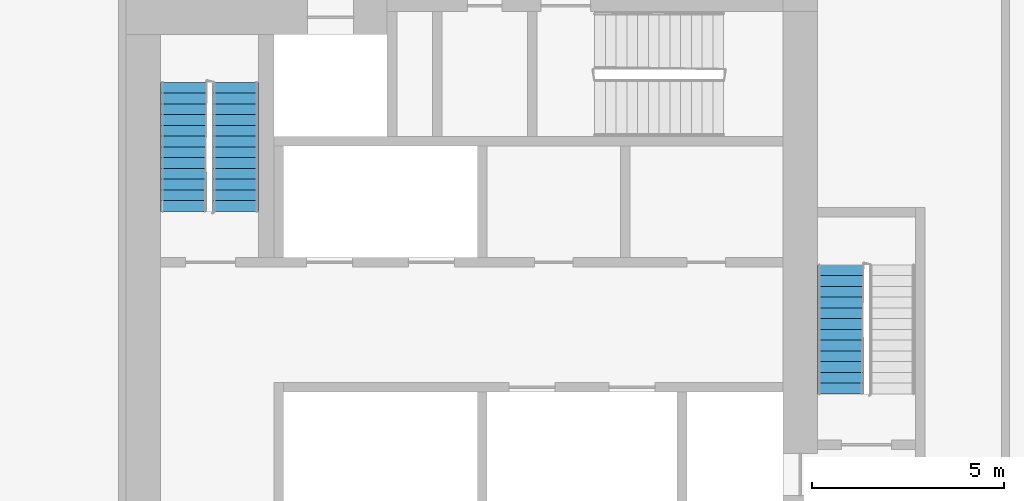
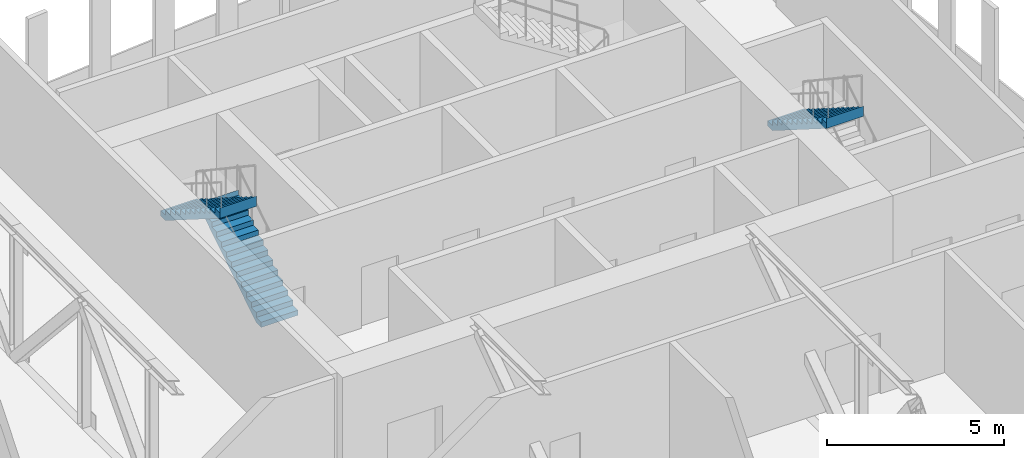
# One storey, part 23 of 26: 3 stair flights, 2 elements without a shape of their own.
"""IFC4 building model written with IfcOpenShell, lengths in metres."""

from ifc_helpers import new_model, si_unit, direction, frame, origin, place, context, subcontext, project, spatial, faceted_brep, material, type_object, element, aggregate, save


model = new_model("IFC4")

# Units and contexts
model_context = context("Model", 3, precision=1e-05, world=origin(), true_north=direction((0.0, 1.0)))
body_context = subcontext(model_context, "Body", "Model", "MODEL_VIEW")
ifc_project = project(units=[si_unit("LENGTHUNIT", "METRE"), si_unit("AREAUNIT", "SQUARE_METRE"), si_unit("VOLUMEUNIT", "CUBIC_METRE"), si_unit("PLANEANGLEUNIT", "RADIAN"), si_unit("MASSUNIT", "GRAM", prefix="KILO")], contexts=[model_context])

# Site, building, storey
site_placement = place(None, origin())
site = spatial("IfcSite", under=ifc_project, at=site_placement, CompositionType="ELEMENT")
building_placement = place(site_placement, origin())
building = spatial("IfcBuilding", under=site, at=building_placement, Name="Kajstack Hotel Tower", CompositionType="ELEMENT")
storey_placement = place(building_placement, frame((0.0, 0.0, 206.5)))
storey = spatial("IfcBuildingStorey", under=building, at=storey_placement, Name="L50", CompositionType="ELEMENT", Elevation=206.5)

# Stair, stair flight
ifc_material = material(Name="Concrete C40/50", Category="concrete")
stair_type = type_object("IfcStairType", Name="Exit stair 1200", PredefinedType="HALF_TURN_STAIR", material=ifc_material)
stair_1_placement = place(storey_placement, origin())
stair_1 = element("IfcStair", 1, at=stair_1_placement, inside=storey, type_object=stair_type, Name="L50 stair E1", PredefinedType="HALF_TURN_STAIR")
stair_flight_type = type_object("IfcStairFlightType", Name="Exit stair flight 1200", PredefinedType="STRAIGHT", material=ifc_material)
stair_flight_1_placement = place(storey_placement, frame((32.10009765625, 8.610107421875, 2.300048828125), z_axis=(0.0, 0.0, 1.0), x_axis=(0.0, -1.0, 0.0)))
stair_flight_1 = element("IfcStairFlight", 2, at=stair_flight_1_placement, type_object=stair_flight_type, Name="E1 flight 2", NumberOfRisers=13, NumberOfTreads=12, PredefinedType="STRAIGHT", RiserHeight=0.176923077, TreadLength=0.28, context=body_context, shape_type="Brep", body=[
    faceted_brep([(0.281005859375, -0.60009765625, 0.0), (3.360595703125, -0.60009765625, 1.94580078125), (3.360595703125, -0.60009765625, 2.300048828125), (3.360107421875, -0.60009765625, 2.300048828125), (3.360107421875, -0.60009765625, 2.123046875), (3.080078125, -0.60009765625, 2.123046875), (3.080078125, -0.60009765625, 1.946044921875), (2.800048828125, -0.60009765625, 1.946044921875), (2.800048828125, -0.60009765625, 1.769287109375), (2.52001953125, -0.60009765625, 1.769287109375), (2.52001953125, -0.60009765625, 1.59228515625), (2.239990234375, -0.60009765625, 1.59228515625), (2.239990234375, -0.60009765625, 1.415283203125), (1.9599609375, -0.60009765625, 1.415283203125), (1.9599609375, -0.60009765625, 1.238525390625), (1.679931640625, -0.60009765625, 1.238525390625), (1.679931640625, -0.60009765625, 1.0615234375), (1.39990234375, -0.60009765625, 1.0615234375), (1.39990234375, -0.60009765625, 0.884521484375), (1.1201171875, -0.60009765625, 0.884521484375), (1.1201171875, -0.60009765625, 0.707763671875), (0.840087890625, -0.60009765625, 0.707763671875), (0.840087890625, -0.60009765625, 0.53076171875), (0.56005859375, -0.60009765625, 0.53076171875), (0.56005859375, -0.60009765625, 0.353759765625), (0.280029296875, -0.60009765625, 0.353759765625), (0.280029296875, -0.60009765625, 0.177001953125), (-0.00048828125, -0.60009765625, 0.177001953125), (-0.00048828125, -0.60009765625, 0.0), (-0.00048828125, 0.60009765625, 0.0), (-0.00048828125, 0.60009765625, 0.177001953125), (0.280029296875, 0.60009765625, 0.177001953125), (0.280029296875, 0.60009765625, 0.353759765625), (0.56005859375, 0.60009765625, 0.353759765625), (0.56005859375, 0.60009765625, 0.53076171875), (0.840087890625, 0.60009765625, 0.53076171875), (0.840087890625, 0.60009765625, 0.707763671875), (1.1201171875, 0.60009765625, 0.707763671875), (1.1201171875, 0.60009765625, 0.884521484375), (1.39990234375, 0.60009765625, 0.884521484375), (1.39990234375, 0.60009765625, 1.0615234375), (1.679931640625, 0.60009765625, 1.0615234375), (1.679931640625, 0.60009765625, 1.238525390625), (1.9599609375, 0.60009765625, 1.238525390625), (1.9599609375, 0.60009765625, 1.415283203125), (2.239990234375, 0.60009765625, 1.415283203125), (2.239990234375, 0.60009765625, 1.59228515625), (2.52001953125, 0.60009765625, 1.59228515625), (2.52001953125, 0.60009765625, 1.769287109375), (2.800048828125, 0.60009765625, 1.769287109375), (2.800048828125, 0.60009765625, 1.946044921875), (3.080078125, 0.60009765625, 1.946044921875), (3.080078125, 0.60009765625, 2.123046875), (3.360107421875, 0.60009765625, 2.123046875), (3.360107421875, 0.60009765625, 2.300048828125), (3.360595703125, 0.60009765625, 2.300048828125), (3.360595703125, 0.60009765625, 1.94580078125), (0.281005859375, 0.60009765625, 0.0), (-0.00048828125, -0.300048828125, 0.177001953125), (-0.00048828125, 0.0, 0.177001953125), (-0.00048828125, 0.300048828125, 0.177001953125), (-0.00048828125, 0.300048828125, 0.0), (-0.00048828125, 0.0, 0.0), (-0.00048828125, -0.300048828125, 0.0), (0.280029296875, -0.300048828125, 0.177001953125), (0.280029296875, 0.0, 0.177001953125), (0.280029296875, 0.300048828125, 0.177001953125), (0.280029296875, -0.300048828125, 0.353759765625), (0.280029296875, 0.0, 0.353759765625), (0.280029296875, 0.300048828125, 0.353759765625), (0.56005859375, -0.300048828125, 0.353759765625), (0.56005859375, 0.0, 0.353759765625), (0.56005859375, 0.300048828125, 0.353759765625), (0.56005859375, -0.300048828125, 0.53076171875), (0.56005859375, 0.0, 0.53076171875), (0.56005859375, 0.300048828125, 0.53076171875), (0.840087890625, -0.300048828125, 0.53076171875), (0.840087890625, 0.0, 0.53076171875), (0.840087890625, 0.300048828125, 0.53076171875), (0.840087890625, -0.300048828125, 0.707763671875), (0.840087890625, 0.0, 0.707763671875), (0.840087890625, 0.300048828125, 0.707763671875), (1.1201171875, -0.300048828125, 0.707763671875), (1.1201171875, 0.0, 0.707763671875), (1.1201171875, 0.300048828125, 0.707763671875), (1.1201171875, -0.300048828125, 0.884521484375), (1.1201171875, 0.0, 0.884521484375), (1.1201171875, 0.300048828125, 0.884521484375), (1.39990234375, -0.300048828125, 0.884521484375), (1.39990234375, 0.0, 0.884521484375), (1.39990234375, 0.300048828125, 0.884521484375), (1.39990234375, -0.300048828125, 1.0615234375), (1.39990234375, 0.0, 1.0615234375), (1.39990234375, 0.300048828125, 1.0615234375), (1.679931640625, -0.300048828125, 1.0615234375), (1.679931640625, 0.0, 1.0615234375), (1.679931640625, 0.300048828125, 1.0615234375), (1.679931640625, -0.300048828125, 1.238525390625), (1.679931640625, 0.0, 1.238525390625), (1.679931640625, 0.300048828125, 1.238525390625), (1.9599609375, -0.300048828125, 1.238525390625), (1.9599609375, 0.0, 1.238525390625), (1.9599609375, 0.300048828125, 1.238525390625), (1.9599609375, -0.300048828125, 1.415283203125), (1.9599609375, 0.0, 1.415283203125), (1.9599609375, 0.300048828125, 1.415283203125), (2.239990234375, -0.300048828125, 1.415283203125), (2.239990234375, 0.0, 1.415283203125), (2.239990234375, 0.300048828125, 1.415283203125), (2.239990234375, -0.300048828125, 1.59228515625), (2.239990234375, 0.0, 1.59228515625), (2.239990234375, 0.300048828125, 1.59228515625), (2.52001953125, -0.300048828125, 1.59228515625), (2.52001953125, 0.0, 1.59228515625), (2.52001953125, 0.300048828125, 1.59228515625), (2.52001953125, -0.300048828125, 1.769287109375), (2.52001953125, 0.0, 1.769287109375), (2.52001953125, 0.300048828125, 1.769287109375), (2.800048828125, -0.300048828125, 1.769287109375), (2.800048828125, 0.0, 1.769287109375), (2.800048828125, 0.300048828125, 1.769287109375), (2.800048828125, -0.300048828125, 1.946044921875), (2.800048828125, 0.0, 1.946044921875), (2.800048828125, 0.300048828125, 1.946044921875), (3.080078125, -0.300048828125, 1.946044921875), (3.080078125, 0.0, 1.946044921875), (3.080078125, 0.300048828125, 1.946044921875), (3.080078125, -0.300048828125, 2.123046875), (3.080078125, 0.0, 2.123046875), (3.080078125, 0.300048828125, 2.123046875), (3.360107421875, -0.300048828125, 2.123046875), (3.360107421875, 0.0, 2.123046875), (3.360107421875, 0.300048828125, 2.123046875), (3.360107421875, -0.300048828125, 2.300048828125), (3.360107421875, 0.0, 2.300048828125), (3.360107421875, 0.300048828125, 2.300048828125), (3.360595703125, -0.300048828125, 2.300048828125), (3.360595703125, 0.0, 2.300048828125), (3.360595703125, 0.300048828125, 2.300048828125), (3.360595703125, -0.300048828125, 1.94580078125), (3.360595703125, 0.0, 1.94580078125), (3.360595703125, 0.300048828125, 1.94580078125), (0.281005859375, -0.300048828125, 0.0), (0.281005859375, 0.0, 0.0), (0.281005859375, 0.300048828125, 0.0)], [[[0, 1, 2, 3, 4, 5, 6, 7, 8, 9, 10, 11, 12, 13, 14, 15, 16, 17, 18, 19, 20, 21, 22, 23, 24, 25, 26, 27, 28]], [[29, 30, 31, 32, 33, 34, 35, 36, 37, 38, 39, 40, 41, 42, 43, 44, 45, 46, 47, 48, 49, 50, 51, 52, 53, 54, 55, 56, 57]], [[27, 58, 59, 60, 30, 29, 61, 62, 63, 28]], [[26, 64, 65, 66, 31, 30, 60, 59, 58, 27]], [[25, 67, 68, 69, 32, 31, 66, 65, 64, 26]], [[24, 70, 71, 72, 33, 32, 69, 68, 67, 25]], [[23, 73, 74, 75, 34, 33, 72, 71, 70, 24]], [[22, 76, 77, 78, 35, 34, 75, 74, 73, 23]], [[21, 79, 80, 81, 36, 35, 78, 77, 76, 22]], [[20, 82, 83, 84, 37, 36, 81, 80, 79, 21]], [[19, 85, 86, 87, 38, 37, 84, 83, 82, 20]], [[18, 88, 89, 90, 39, 38, 87, 86, 85, 19]], [[17, 91, 92, 93, 40, 39, 90, 89, 88, 18]], [[16, 94, 95, 96, 41, 40, 93, 92, 91, 17]], [[15, 97, 98, 99, 42, 41, 96, 95, 94, 16]], [[14, 100, 101, 102, 43, 42, 99, 98, 97, 15]], [[13, 103, 104, 105, 44, 43, 102, 101, 100, 14]], [[12, 106, 107, 108, 45, 44, 105, 104, 103, 13]], [[11, 109, 110, 111, 46, 45, 108, 107, 106, 12]], [[10, 112, 113, 114, 47, 46, 111, 110, 109, 11]], [[9, 115, 116, 117, 48, 47, 114, 113, 112, 10]], [[8, 118, 119, 120, 49, 48, 117, 116, 115, 9]], [[7, 121, 122, 123, 50, 49, 120, 119, 118, 8]], [[6, 124, 125, 126, 51, 50, 123, 122, 121, 7]], [[5, 127, 128, 129, 52, 51, 126, 125, 124, 6]], [[4, 130, 131, 132, 53, 52, 129, 128, 127, 5]], [[3, 133, 134, 135, 54, 53, 132, 131, 130, 4]], [[2, 136, 137, 138, 55, 54, 135, 134, 133, 3]], [[1, 139, 140, 141, 56, 55, 138, 137, 136, 2]], [[0, 142, 143, 144, 57, 56, 141, 140, 139, 1]], [[28, 63, 62, 61, 29, 57, 144, 143, 142, 0]]]),
])
aggregate(stair_1, [stair_flight_1])

# Stair, stair flights
stair_2_placement = place(storey_placement, origin())
stair_2 = element("IfcStair", 3, at=stair_2_placement, inside=storey, type_object=stair_type, Name="L50 stair E2", PredefinedType="HALF_TURN_STAIR")
stair_flight_2_placement = place(storey_placement, frame((16.35009765625, 10.0, 0.0), z_axis=(0.0, 0.0, 1.0), x_axis=(0.0, 1.0, 0.0)))
stair_flight_2 = element("IfcStairFlight", 4, at=stair_flight_2_placement, type_object=stair_flight_type, Name="E2 flight 1", NumberOfRisers=13, NumberOfTreads=12, PredefinedType="STRAIGHT", RiserHeight=0.176923077, TreadLength=0.28, context=body_context, shape_type="Brep", body=[
    faceted_brep([(0.281005859375, -0.60009765625, 0.0), (3.360595703125, -0.60009765625, 1.94580078125), (3.360595703125, -0.60009765625, 2.300048828125), (3.360107421875, -0.60009765625, 2.300048828125), (3.360107421875, -0.60009765625, 2.123046875), (3.080078125, -0.60009765625, 2.123046875), (3.080078125, -0.60009765625, 1.946044921875), (2.800048828125, -0.60009765625, 1.946044921875), (2.800048828125, -0.60009765625, 1.769287109375), (2.52001953125, -0.60009765625, 1.769287109375), (2.52001953125, -0.60009765625, 1.59228515625), (2.239990234375, -0.60009765625, 1.59228515625), (2.239990234375, -0.60009765625, 1.415283203125), (1.9599609375, -0.60009765625, 1.415283203125), (1.9599609375, -0.60009765625, 1.238525390625), (1.679931640625, -0.60009765625, 1.238525390625), (1.679931640625, -0.60009765625, 1.0615234375), (1.39990234375, -0.60009765625, 1.0615234375), (1.39990234375, -0.60009765625, 0.884521484375), (1.1201171875, -0.60009765625, 0.884521484375), (1.1201171875, -0.60009765625, 0.707763671875), (0.840087890625, -0.60009765625, 0.707763671875), (0.840087890625, -0.60009765625, 0.53076171875), (0.56005859375, -0.60009765625, 0.53076171875), (0.56005859375, -0.60009765625, 0.353759765625), (0.280029296875, -0.60009765625, 0.353759765625), (0.280029296875, -0.60009765625, 0.177001953125), (-0.00048828125, -0.60009765625, 0.177001953125), (-0.00048828125, -0.60009765625, 0.0), (-0.00048828125, 0.60009765625, 0.0), (-0.00048828125, 0.60009765625, 0.177001953125), (0.280029296875, 0.60009765625, 0.177001953125), (0.280029296875, 0.60009765625, 0.353759765625), (0.56005859375, 0.60009765625, 0.353759765625), (0.56005859375, 0.60009765625, 0.53076171875), (0.840087890625, 0.60009765625, 0.53076171875), (0.840087890625, 0.60009765625, 0.707763671875), (1.1201171875, 0.60009765625, 0.707763671875), (1.1201171875, 0.60009765625, 0.884521484375), (1.39990234375, 0.60009765625, 0.884521484375), (1.39990234375, 0.60009765625, 1.0615234375), (1.679931640625, 0.60009765625, 1.0615234375), (1.679931640625, 0.60009765625, 1.238525390625), (1.9599609375, 0.60009765625, 1.238525390625), (1.9599609375, 0.60009765625, 1.415283203125), (2.239990234375, 0.60009765625, 1.415283203125), (2.239990234375, 0.60009765625, 1.59228515625), (2.52001953125, 0.60009765625, 1.59228515625), (2.52001953125, 0.60009765625, 1.769287109375), (2.800048828125, 0.60009765625, 1.769287109375), (2.800048828125, 0.60009765625, 1.946044921875), (3.080078125, 0.60009765625, 1.946044921875), (3.080078125, 0.60009765625, 2.123046875), (3.360107421875, 0.60009765625, 2.123046875), (3.360107421875, 0.60009765625, 2.300048828125), (3.360595703125, 0.60009765625, 2.300048828125), (3.360595703125, 0.60009765625, 1.94580078125), (0.281005859375, 0.60009765625, 0.0), (-0.00048828125, -0.300048828125, 0.177001953125), (-0.00048828125, 0.0, 0.177001953125), (-0.00048828125, 0.300048828125, 0.177001953125), (-0.00048828125, 0.300048828125, 0.0), (-0.00048828125, 0.0, 0.0), (-0.00048828125, -0.300048828125, 0.0), (0.280029296875, -0.300048828125, 0.177001953125), (0.280029296875, 0.0, 0.177001953125), (0.280029296875, 0.300048828125, 0.177001953125), (0.280029296875, -0.300048828125, 0.353759765625), (0.280029296875, 0.0, 0.353759765625), (0.280029296875, 0.300048828125, 0.353759765625), (0.56005859375, -0.300048828125, 0.353759765625), (0.56005859375, 0.0, 0.353759765625), (0.56005859375, 0.300048828125, 0.353759765625), (0.56005859375, -0.300048828125, 0.53076171875), (0.56005859375, 0.0, 0.53076171875), (0.56005859375, 0.300048828125, 0.53076171875), (0.840087890625, -0.300048828125, 0.53076171875), (0.840087890625, 0.0, 0.53076171875), (0.840087890625, 0.300048828125, 0.53076171875), (0.840087890625, -0.300048828125, 0.707763671875), (0.840087890625, 0.0, 0.707763671875), (0.840087890625, 0.300048828125, 0.707763671875), (1.1201171875, -0.300048828125, 0.707763671875), (1.1201171875, 0.0, 0.707763671875), (1.1201171875, 0.300048828125, 0.707763671875), (1.1201171875, -0.300048828125, 0.884521484375), (1.1201171875, 0.0, 0.884521484375), (1.1201171875, 0.300048828125, 0.884521484375), (1.39990234375, -0.300048828125, 0.884521484375), (1.39990234375, 0.0, 0.884521484375), (1.39990234375, 0.300048828125, 0.884521484375), (1.39990234375, -0.300048828125, 1.0615234375), (1.39990234375, 0.0, 1.0615234375), (1.39990234375, 0.300048828125, 1.0615234375), (1.679931640625, -0.300048828125, 1.0615234375), (1.679931640625, 0.0, 1.0615234375), (1.679931640625, 0.300048828125, 1.0615234375), (1.679931640625, -0.300048828125, 1.238525390625), (1.679931640625, 0.0, 1.238525390625), (1.679931640625, 0.300048828125, 1.238525390625), (1.9599609375, -0.300048828125, 1.238525390625), (1.9599609375, 0.0, 1.238525390625), (1.9599609375, 0.300048828125, 1.238525390625), (1.9599609375, -0.300048828125, 1.415283203125), (1.9599609375, 0.0, 1.415283203125), (1.9599609375, 0.300048828125, 1.415283203125), (2.239990234375, -0.300048828125, 1.415283203125), (2.239990234375, 0.0, 1.415283203125), (2.239990234375, 0.300048828125, 1.415283203125), (2.239990234375, -0.300048828125, 1.59228515625), (2.239990234375, 0.0, 1.59228515625), (2.239990234375, 0.300048828125, 1.59228515625), (2.52001953125, -0.300048828125, 1.59228515625), (2.52001953125, 0.0, 1.59228515625), (2.52001953125, 0.300048828125, 1.59228515625), (2.52001953125, -0.300048828125, 1.769287109375), (2.52001953125, 0.0, 1.769287109375), (2.52001953125, 0.300048828125, 1.769287109375), (2.800048828125, -0.300048828125, 1.769287109375), (2.800048828125, 0.0, 1.769287109375), (2.800048828125, 0.300048828125, 1.769287109375), (2.800048828125, -0.300048828125, 1.946044921875), (2.800048828125, 0.0, 1.946044921875), (2.800048828125, 0.300048828125, 1.946044921875), (3.080078125, -0.300048828125, 1.946044921875), (3.080078125, 0.0, 1.946044921875), (3.080078125, 0.300048828125, 1.946044921875), (3.080078125, -0.300048828125, 2.123046875), (3.080078125, 0.0, 2.123046875), (3.080078125, 0.300048828125, 2.123046875), (3.360107421875, -0.300048828125, 2.123046875), (3.360107421875, 0.0, 2.123046875), (3.360107421875, 0.300048828125, 2.123046875), (3.360107421875, -0.300048828125, 2.300048828125), (3.360107421875, 0.0, 2.300048828125), (3.360107421875, 0.300048828125, 2.300048828125), (3.360595703125, -0.300048828125, 2.300048828125), (3.360595703125, 0.0, 2.300048828125), (3.360595703125, 0.300048828125, 2.300048828125), (3.360595703125, -0.300048828125, 1.94580078125), (3.360595703125, 0.0, 1.94580078125), (3.360595703125, 0.300048828125, 1.94580078125), (0.281005859375, -0.300048828125, 0.0), (0.281005859375, 0.0, 0.0), (0.281005859375, 0.300048828125, 0.0)], [[[0, 1, 2, 3, 4, 5, 6, 7, 8, 9, 10, 11, 12, 13, 14, 15, 16, 17, 18, 19, 20, 21, 22, 23, 24, 25, 26, 27, 28]], [[29, 30, 31, 32, 33, 34, 35, 36, 37, 38, 39, 40, 41, 42, 43, 44, 45, 46, 47, 48, 49, 50, 51, 52, 53, 54, 55, 56, 57]], [[27, 58, 59, 60, 30, 29, 61, 62, 63, 28]], [[26, 64, 65, 66, 31, 30, 60, 59, 58, 27]], [[25, 67, 68, 69, 32, 31, 66, 65, 64, 26]], [[24, 70, 71, 72, 33, 32, 69, 68, 67, 25]], [[23, 73, 74, 75, 34, 33, 72, 71, 70, 24]], [[22, 76, 77, 78, 35, 34, 75, 74, 73, 23]], [[21, 79, 80, 81, 36, 35, 78, 77, 76, 22]], [[20, 82, 83, 84, 37, 36, 81, 80, 79, 21]], [[19, 85, 86, 87, 38, 37, 84, 83, 82, 20]], [[18, 88, 89, 90, 39, 38, 87, 86, 85, 19]], [[17, 91, 92, 93, 40, 39, 90, 89, 88, 18]], [[16, 94, 95, 96, 41, 40, 93, 92, 91, 17]], [[15, 97, 98, 99, 42, 41, 96, 95, 94, 16]], [[14, 100, 101, 102, 43, 42, 99, 98, 97, 15]], [[13, 103, 104, 105, 44, 43, 102, 101, 100, 14]], [[12, 106, 107, 108, 45, 44, 105, 104, 103, 13]], [[11, 109, 110, 111, 46, 45, 108, 107, 106, 12]], [[10, 112, 113, 114, 47, 46, 111, 110, 109, 11]], [[9, 115, 116, 117, 48, 47, 114, 113, 112, 10]], [[8, 118, 119, 120, 49, 48, 117, 116, 115, 9]], [[7, 121, 122, 123, 50, 49, 120, 119, 118, 8]], [[6, 124, 125, 126, 51, 50, 123, 122, 121, 7]], [[5, 127, 128, 129, 52, 51, 126, 125, 124, 6]], [[4, 130, 131, 132, 53, 52, 129, 128, 127, 5]], [[3, 133, 134, 135, 54, 53, 132, 131, 130, 4]], [[2, 136, 137, 138, 55, 54, 135, 134, 133, 3]], [[1, 139, 140, 141, 56, 55, 138, 137, 136, 2]], [[0, 142, 143, 144, 57, 56, 141, 140, 139, 1]], [[28, 63, 62, 61, 29, 57, 144, 143, 142, 0]]]),
])
stair_flight_3_placement = place(storey_placement, frame((15.0, 13.360107421875, 2.300048828125), z_axis=(0.0, 0.0, 1.0), x_axis=(0.0, -1.0, 0.0)))
stair_flight_3 = element("IfcStairFlight", 5, at=stair_flight_3_placement, type_object=stair_flight_type, Name="E2 flight 2", NumberOfRisers=13, NumberOfTreads=12, PredefinedType="STRAIGHT", RiserHeight=0.176923077, TreadLength=0.28, context=body_context, shape_type="Brep", body=[
    faceted_brep([(0.281005859375, -0.60009765625, 0.0), (3.360595703125, -0.60009765625, 1.94580078125), (3.360595703125, -0.60009765625, 2.300048828125), (3.360107421875, -0.60009765625, 2.300048828125), (3.360107421875, -0.60009765625, 2.123046875), (3.080078125, -0.60009765625, 2.123046875), (3.080078125, -0.60009765625, 1.946044921875), (2.800048828125, -0.60009765625, 1.946044921875), (2.800048828125, -0.60009765625, 1.769287109375), (2.52001953125, -0.60009765625, 1.769287109375), (2.52001953125, -0.60009765625, 1.59228515625), (2.239990234375, -0.60009765625, 1.59228515625), (2.239990234375, -0.60009765625, 1.415283203125), (1.9599609375, -0.60009765625, 1.415283203125), (1.9599609375, -0.60009765625, 1.238525390625), (1.679931640625, -0.60009765625, 1.238525390625), (1.679931640625, -0.60009765625, 1.0615234375), (1.39990234375, -0.60009765625, 1.0615234375), (1.39990234375, -0.60009765625, 0.884521484375), (1.1201171875, -0.60009765625, 0.884521484375), (1.1201171875, -0.60009765625, 0.707763671875), (0.840087890625, -0.60009765625, 0.707763671875), (0.840087890625, -0.60009765625, 0.53076171875), (0.56005859375, -0.60009765625, 0.53076171875), (0.56005859375, -0.60009765625, 0.353759765625), (0.280029296875, -0.60009765625, 0.353759765625), (0.280029296875, -0.60009765625, 0.177001953125), (-0.00048828125, -0.60009765625, 0.177001953125), (-0.00048828125, -0.60009765625, 0.0), (-0.00048828125, 0.60009765625, 0.0), (-0.00048828125, 0.60009765625, 0.177001953125), (0.280029296875, 0.60009765625, 0.177001953125), (0.280029296875, 0.60009765625, 0.353759765625), (0.56005859375, 0.60009765625, 0.353759765625), (0.56005859375, 0.60009765625, 0.53076171875), (0.840087890625, 0.60009765625, 0.53076171875), (0.840087890625, 0.60009765625, 0.707763671875), (1.1201171875, 0.60009765625, 0.707763671875), (1.1201171875, 0.60009765625, 0.884521484375), (1.39990234375, 0.60009765625, 0.884521484375), (1.39990234375, 0.60009765625, 1.0615234375), (1.679931640625, 0.60009765625, 1.0615234375), (1.679931640625, 0.60009765625, 1.238525390625), (1.9599609375, 0.60009765625, 1.238525390625), (1.9599609375, 0.60009765625, 1.415283203125), (2.239990234375, 0.60009765625, 1.415283203125), (2.239990234375, 0.60009765625, 1.59228515625), (2.52001953125, 0.60009765625, 1.59228515625), (2.52001953125, 0.60009765625, 1.769287109375), (2.800048828125, 0.60009765625, 1.769287109375), (2.800048828125, 0.60009765625, 1.946044921875), (3.080078125, 0.60009765625, 1.946044921875), (3.080078125, 0.60009765625, 2.123046875), (3.360107421875, 0.60009765625, 2.123046875), (3.360107421875, 0.60009765625, 2.300048828125), (3.360595703125, 0.60009765625, 2.300048828125), (3.360595703125, 0.60009765625, 1.94580078125), (0.281005859375, 0.60009765625, 0.0), (-0.00048828125, -0.300048828125, 0.177001953125), (-0.00048828125, 0.0, 0.177001953125), (-0.00048828125, 0.300048828125, 0.177001953125), (-0.00048828125, 0.300048828125, 0.0), (-0.00048828125, 0.0, 0.0), (-0.00048828125, -0.300048828125, 0.0), (0.280029296875, -0.300048828125, 0.177001953125), (0.280029296875, 0.0, 0.177001953125), (0.280029296875, 0.300048828125, 0.177001953125), (0.280029296875, -0.300048828125, 0.353759765625), (0.280029296875, 0.0, 0.353759765625), (0.280029296875, 0.300048828125, 0.353759765625), (0.56005859375, -0.300048828125, 0.353759765625), (0.56005859375, 0.0, 0.353759765625), (0.56005859375, 0.300048828125, 0.353759765625), (0.56005859375, -0.300048828125, 0.53076171875), (0.56005859375, 0.0, 0.53076171875), (0.56005859375, 0.300048828125, 0.53076171875), (0.840087890625, -0.300048828125, 0.53076171875), (0.840087890625, 0.0, 0.53076171875), (0.840087890625, 0.300048828125, 0.53076171875), (0.840087890625, -0.300048828125, 0.707763671875), (0.840087890625, 0.0, 0.707763671875), (0.840087890625, 0.300048828125, 0.707763671875), (1.1201171875, -0.300048828125, 0.707763671875), (1.1201171875, 0.0, 0.707763671875), (1.1201171875, 0.300048828125, 0.707763671875), (1.1201171875, -0.300048828125, 0.884521484375), (1.1201171875, 0.0, 0.884521484375), (1.1201171875, 0.300048828125, 0.884521484375), (1.39990234375, -0.300048828125, 0.884521484375), (1.39990234375, 0.0, 0.884521484375), (1.39990234375, 0.300048828125, 0.884521484375), (1.39990234375, -0.300048828125, 1.0615234375), (1.39990234375, 0.0, 1.0615234375), (1.39990234375, 0.300048828125, 1.0615234375), (1.679931640625, -0.300048828125, 1.0615234375), (1.679931640625, 0.0, 1.0615234375), (1.679931640625, 0.300048828125, 1.0615234375), (1.679931640625, -0.300048828125, 1.238525390625), (1.679931640625, 0.0, 1.238525390625), (1.679931640625, 0.300048828125, 1.238525390625), (1.9599609375, -0.300048828125, 1.238525390625), (1.9599609375, 0.0, 1.238525390625), (1.9599609375, 0.300048828125, 1.238525390625), (1.9599609375, -0.300048828125, 1.415283203125), (1.9599609375, 0.0, 1.415283203125), (1.9599609375, 0.300048828125, 1.415283203125), (2.239990234375, -0.300048828125, 1.415283203125), (2.239990234375, 0.0, 1.415283203125), (2.239990234375, 0.300048828125, 1.415283203125), (2.239990234375, -0.300048828125, 1.59228515625), (2.239990234375, 0.0, 1.59228515625), (2.239990234375, 0.300048828125, 1.59228515625), (2.52001953125, -0.300048828125, 1.59228515625), (2.52001953125, 0.0, 1.59228515625), (2.52001953125, 0.300048828125, 1.59228515625), (2.52001953125, -0.300048828125, 1.769287109375), (2.52001953125, 0.0, 1.769287109375), (2.52001953125, 0.300048828125, 1.769287109375), (2.800048828125, -0.300048828125, 1.769287109375), (2.800048828125, 0.0, 1.769287109375), (2.800048828125, 0.300048828125, 1.769287109375), (2.800048828125, -0.300048828125, 1.946044921875), (2.800048828125, 0.0, 1.946044921875), (2.800048828125, 0.300048828125, 1.946044921875), (3.080078125, -0.300048828125, 1.946044921875), (3.080078125, 0.0, 1.946044921875), (3.080078125, 0.300048828125, 1.946044921875), (3.080078125, -0.300048828125, 2.123046875), (3.080078125, 0.0, 2.123046875), (3.080078125, 0.300048828125, 2.123046875), (3.360107421875, -0.300048828125, 2.123046875), (3.360107421875, 0.0, 2.123046875), (3.360107421875, 0.300048828125, 2.123046875), (3.360107421875, -0.300048828125, 2.300048828125), (3.360107421875, 0.0, 2.300048828125), (3.360107421875, 0.300048828125, 2.300048828125), (3.360595703125, -0.300048828125, 2.300048828125), (3.360595703125, 0.0, 2.300048828125), (3.360595703125, 0.300048828125, 2.300048828125), (3.360595703125, -0.300048828125, 1.94580078125), (3.360595703125, 0.0, 1.94580078125), (3.360595703125, 0.300048828125, 1.94580078125), (0.281005859375, -0.300048828125, 0.0), (0.281005859375, 0.0, 0.0), (0.281005859375, 0.300048828125, 0.0)], [[[0, 1, 2, 3, 4, 5, 6, 7, 8, 9, 10, 11, 12, 13, 14, 15, 16, 17, 18, 19, 20, 21, 22, 23, 24, 25, 26, 27, 28]], [[29, 30, 31, 32, 33, 34, 35, 36, 37, 38, 39, 40, 41, 42, 43, 44, 45, 46, 47, 48, 49, 50, 51, 52, 53, 54, 55, 56, 57]], [[27, 58, 59, 60, 30, 29, 61, 62, 63, 28]], [[26, 64, 65, 66, 31, 30, 60, 59, 58, 27]], [[25, 67, 68, 69, 32, 31, 66, 65, 64, 26]], [[24, 70, 71, 72, 33, 32, 69, 68, 67, 25]], [[23, 73, 74, 75, 34, 33, 72, 71, 70, 24]], [[22, 76, 77, 78, 35, 34, 75, 74, 73, 23]], [[21, 79, 80, 81, 36, 35, 78, 77, 76, 22]], [[20, 82, 83, 84, 37, 36, 81, 80, 79, 21]], [[19, 85, 86, 87, 38, 37, 84, 83, 82, 20]], [[18, 88, 89, 90, 39, 38, 87, 86, 85, 19]], [[17, 91, 92, 93, 40, 39, 90, 89, 88, 18]], [[16, 94, 95, 96, 41, 40, 93, 92, 91, 17]], [[15, 97, 98, 99, 42, 41, 96, 95, 94, 16]], [[14, 100, 101, 102, 43, 42, 99, 98, 97, 15]], [[13, 103, 104, 105, 44, 43, 102, 101, 100, 14]], [[12, 106, 107, 108, 45, 44, 105, 104, 103, 13]], [[11, 109, 110, 111, 46, 45, 108, 107, 106, 12]], [[10, 112, 113, 114, 47, 46, 111, 110, 109, 11]], [[9, 115, 116, 117, 48, 47, 114, 113, 112, 10]], [[8, 118, 119, 120, 49, 48, 117, 116, 115, 9]], [[7, 121, 122, 123, 50, 49, 120, 119, 118, 8]], [[6, 124, 125, 126, 51, 50, 123, 122, 121, 7]], [[5, 127, 128, 129, 52, 51, 126, 125, 124, 6]], [[4, 130, 131, 132, 53, 52, 129, 128, 127, 5]], [[3, 133, 134, 135, 54, 53, 132, 131, 130, 4]], [[2, 136, 137, 138, 55, 54, 135, 134, 133, 3]], [[1, 139, 140, 141, 56, 55, 138, 137, 136, 2]], [[0, 142, 143, 144, 57, 56, 141, 140, 139, 1]], [[28, 63, 62, 61, 29, 57, 144, 143, 142, 0]]]),
])
aggregate(stair_2, [stair_flight_2, stair_flight_3])

save(model, "model.ifc")
